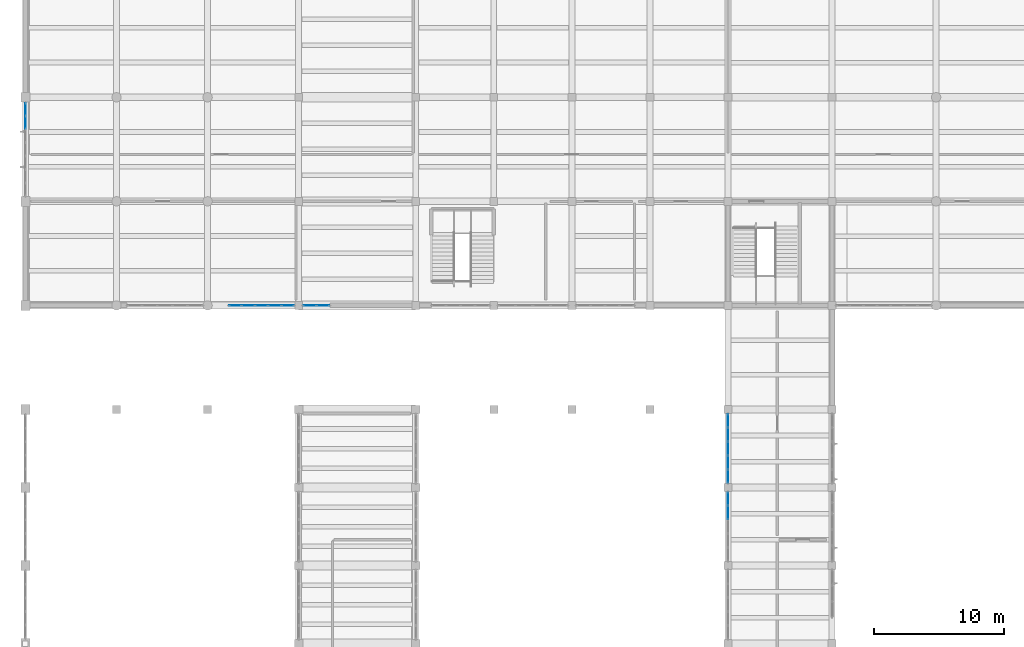
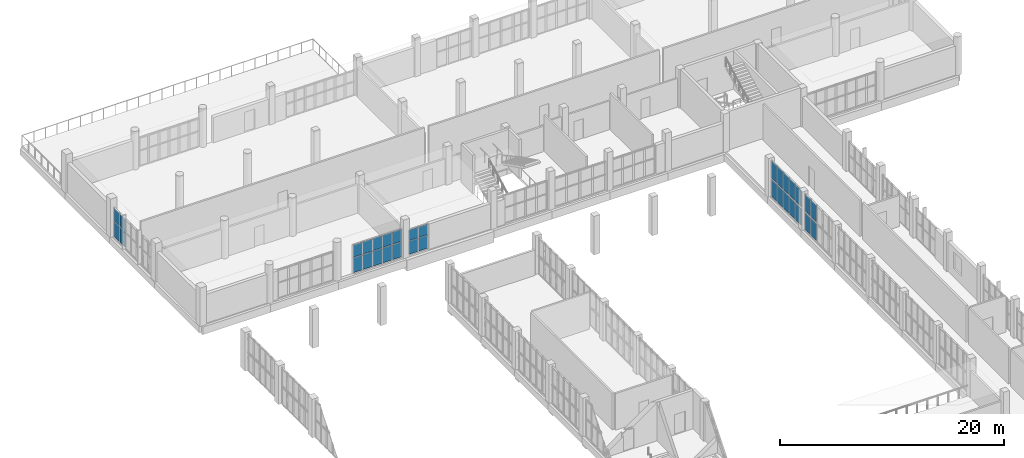
# One storey, part 54 of 85: 32 plates, 7 elements without a shape of their own.
"""IFC4 building model written with IfcOpenShell, lengths in metres."""

import ifcopenshell
import ifcopenshell.guid

model = None  # the IFC model being written
_history = None  # IfcOwnerHistory: only IFC2X3 demands one
_inside = {}  # id of a spatial element -> (the spatial element, [elements in it])
_under = {}  # id of a project, library or spatial element -> (it, [spatial elements below it])
_declared = {}  # id of a project -> (the project, [libraries it declares])
_typed = {}  # id of a type object -> (the type object, [elements of that type])
_made_of = {}  # id of a material, layer set ... -> (it, [elements and type objects made of it])


def new_model(schema):
    """Start an empty IFC model of exactly this schema.

    Asked for "IFC4X3", IfcOpenShell would pick the latest addendum, in which some entities
    have other attributes; the version numbers below select the first issue.
    IFC2X3 requires an IfcOwnerHistory on every rooted entity: one is made here for all.
    """
    global model, _history
    if schema == "IFC4X3":
        model = ifcopenshell.file(schema_version=(4, 3, 0, 0))
    else:
        model = ifcopenshell.file(schema=schema)
    _inside.clear()
    _under.clear()
    _declared.clear()
    _typed.clear()
    _made_of.clear()
    _history = None
    if model.schema == "IFC2X3":
        org = make("IfcOrganization", Name="unknown")
        user = make(
            "IfcPersonAndOrganization",
            ThePerson=make("IfcPerson", FamilyName="unknown"),
            TheOrganization=org,
        )
        app = make(
            "IfcApplication",
            ApplicationDeveloper=org,
            Version="unknown",
            ApplicationFullName="unknown",
            ApplicationIdentifier="unknown",
        )
        _history = make(
            "IfcOwnerHistory",
            OwningUser=user,
            OwningApplication=app,
            ChangeAction="ADDED",
            CreationDate=0,
        )
    return model


def make(cls, **values):
    """One entity of the class cls with the attributes given. An attribute that is None is left unset."""
    return model.create_entity(
        cls, **{name: value for name, value in values.items() if value is not None}
    )


def rooted(cls, **values):
    """An entity with a GlobalId (a new one), such as an element, a storey or a relation."""
    return make(cls, GlobalId=ifcopenshell.guid.new(), OwnerHistory=_history, **values)


def si_unit(unit_type, name, prefix=None):
    """IfcSIUnit, for example si_unit("LENGTHUNIT", "METRE", prefix="MILLI")."""
    return make("IfcSIUnit", UnitType=unit_type, Prefix=prefix, Name=name)


def assignment(units):
    """IfcUnitAssignment: the units of a project."""
    return None if units is None else make("IfcUnitAssignment", Units=units)


def point(xyz):
    """IfcCartesianPoint."""
    return None if xyz is None else make("IfcCartesianPoint", Coordinates=xyz)


def direction(xyz):
    """IfcDirection."""
    return None if xyz is None else make("IfcDirection", DirectionRatios=xyz)


def frame(location, z_axis=None, x_axis=None):
    """IfcAxis2Placement3D, a coordinate frame: its origin and axes. An axis left out is left unset."""
    return make(
        "IfcAxis2Placement3D",
        Location=point(location),
        Axis=direction(z_axis),
        RefDirection=direction(x_axis),
    )


def frame_2d(location, x_axis=None):
    """IfcAxis2Placement2D, a coordinate frame in the plane: its origin and x axis."""
    return make(
        "IfcAxis2Placement2D", Location=point(location), RefDirection=direction(x_axis)
    )


def origin():
    """The frame at (0, 0, 0) with its axes left unset."""
    return frame((0.0, 0.0, 0.0))


def origin_2d():
    """The frame at (0, 0) in the plane with its x axis left unset."""
    return frame_2d((0.0, 0.0))


def place(relative_to, where):
    """IfcLocalPlacement: puts the frame where relative to a parent placement (None: the world)."""
    return make(
        "IfcLocalPlacement", PlacementRelTo=relative_to, RelativePlacement=where
    )


def context(
    kind, dimensions, precision=None, world=None, true_north=None, identifier=None
):
    """IfcGeometricRepresentationContext, for example the 3D "Model" context."""
    return make(
        "IfcGeometricRepresentationContext",
        ContextIdentifier=identifier,
        ContextType=kind,
        CoordinateSpaceDimension=dimensions,
        Precision=precision,
        WorldCoordinateSystem=world,
        TrueNorth=true_north,
    )


def subcontext(parent, identifier, kind, view, scale=None):
    """IfcGeometricRepresentationSubContext, for example "Body" below "Model"."""
    return make(
        "IfcGeometricRepresentationSubContext",
        ContextIdentifier=identifier,
        ContextType=kind,
        ParentContext=parent,
        TargetScale=scale,
        TargetView=view,
    )


def project(units=None, contexts=None):
    """IfcProject with its units and contexts."""
    return rooted(
        "IfcProject",
        Name="project",
        RepresentationContexts=contexts,
        UnitsInContext=assignment(units),
    )


def spatial(cls, under=None, at=None, **own):
    """A site, building, storey or space (cls), placed at a placement, below another one or the project."""
    s = rooted(cls, ObjectPlacement=at, **own)
    if under is not None:
        _under.setdefault(under.id(), (under, []))[1].append(s)
    return s


def profile(cls, at=None, kind="AREA", **sizes):
    """A parametric profile (cls). Its sizes go by their IFC names, for example OverallWidth=200.0."""
    return make(cls, ProfileType=kind, Position=at, **sizes)


def rectangle(**sizes):
    """IfcRectangleProfileDef."""
    return profile("IfcRectangleProfileDef", **sizes)


def extrude(swept, where, along, depth):
    """IfcExtrudedAreaSolid: the profile swept, set in the frame where, extruded along a direction by depth."""
    return make(
        "IfcExtrudedAreaSolid",
        SweptArea=swept,
        Position=where,
        ExtrudedDirection=direction(along),
        Depth=depth,
    )


def shape(context_of_items, identifier, shape_type, items):
    """IfcShapeRepresentation: the items that make up one representation, for example the "Body"."""
    return make(
        "IfcShapeRepresentation",
        ContextOfItems=context_of_items,
        RepresentationIdentifier=identifier,
        RepresentationType=shape_type,
        Items=items,
    )


def material(Name=None, Category=None):
    """IfcMaterial."""
    return make("IfcMaterial", Name=Name, Category=Category)


def layer(
    of_material, thickness, ventilated=None, Name=None, Category=None, Priority=None
):
    """IfcMaterialLayer: one layer of a wall or slab, of a material (None: an air gap)."""
    return make(
        "IfcMaterialLayer",
        Material=of_material,
        LayerThickness=thickness,
        IsVentilated=ventilated,
        Name=Name,
        Category=Category,
        Priority=Priority,
    )


def layer_set(layers, Name=None):
    """IfcMaterialLayerSet."""
    return make("IfcMaterialLayerSet", MaterialLayers=layers, LayerSetName=Name)


def made_of(thing, what):
    """Note that an element or type object is made of a material, layer set ...; save() writes the relation."""
    if what is not None:
        _made_of.setdefault(what.id(), (what, []))[1].append(thing)
    return thing


def type_object(cls, material=None, **own):
    """A type object (cls), such as IfcWallType, which elements share."""
    return made_of(rooted(cls, **own), material)


def element(
    cls,
    number,
    at=None,
    inside=None,
    cuts=None,
    type_object=None,
    material=None,
    context=None,
    identifier="Body",
    shape_type=None,
    held_by="IfcProductDefinitionShape",
    body=None,
    shapes=None,
    **own,
):
    """One element of the class cls, such as IfcWall. Its Tag is "e" and its number.

    at: its placement. inside: the storey or other place that contains it. cuts: it is an
    opening in that element (IfcRelVoidsElement). A single representation is given by context,
    identifier, shape_type and body (its items); several are given by shapes. held_by: the class
    of the entity that holds the representations. save() writes the other relations.
    """
    e = rooted(cls, Tag="e%d" % number, ObjectPlacement=at, **own)
    if body is not None:
        shapes = [shape(context, identifier, shape_type, body)]
    if shapes is not None:
        e.Representation = make(held_by, Representations=shapes)
    if inside is not None:
        _inside.setdefault(inside.id(), (inside, []))[1].append(e)
    if cuts is not None:
        rooted(
            "IfcRelVoidsElement", RelatingBuildingElement=cuts, RelatedOpeningElement=e
        )
    if type_object is not None:
        _typed.setdefault(type_object.id(), (type_object, []))[1].append(e)
    return made_of(e, material)


def aggregate(whole, parts):
    """IfcRelAggregates: a whole, such as a stair, and the parts it consists of."""
    return rooted("IfcRelAggregates", RelatingObject=whole, RelatedObjects=parts)


def save(model, path):
    """Write the relations noted so far, then the file.

    IfcRelAggregates (storeys below a building ...), IfcRelContainedInSpatialStructure (elements
    in a storey), IfcRelDefinesByType, IfcRelAssociatesMaterial and IfcRelDeclares: one each for
    every whole, place, type object, material and project.
    """
    for whole, parts in _under.values():
        aggregate(whole, parts)
    for where, things in _inside.values():
        rooted(
            "IfcRelContainedInSpatialStructure",
            RelatedElements=things,
            RelatingStructure=where,
        )
    for kind, things in _typed.values():
        rooted("IfcRelDefinesByType", RelatedObjects=things, RelatingType=kind)
    for what, things in _made_of.values():
        rooted("IfcRelAssociatesMaterial", RelatedObjects=things, RelatingMaterial=what)
    for by, libraries in _declared.values():
        rooted("IfcRelDeclares", RelatingContext=by, RelatedDefinitions=libraries)
    model.write(path)


model = new_model("IFC4")

# Units and contexts
model_context = context("Model", 3, precision=1e-05, world=origin(), true_north=direction((0.0, 1.0)))
body_context = subcontext(model_context, "Body", "Model", "MODEL_VIEW")
ifc_project = project(units=[si_unit("LENGTHUNIT", "METRE"), si_unit("AREAUNIT", "SQUARE_METRE"), si_unit("VOLUMEUNIT", "CUBIC_METRE"), si_unit("PLANEANGLEUNIT", "RADIAN"), si_unit("MASSUNIT", "GRAM", prefix="KILO")], contexts=[model_context])

# Site, building, storey
site_placement = place(None, origin())
site = spatial("IfcSite", under=ifc_project, at=site_placement, CompositionType="ELEMENT")
building_placement = place(site_placement, origin())
building = spatial("IfcBuilding", under=site, at=building_placement, Name="Solvane Community Centre", CompositionType="ELEMENT")
storey_placement = place(building_placement, frame((0.0, 0.0, 5.39990234375)))
storey = spatial("IfcBuildingStorey", under=building, at=storey_placement, Name="L01", CompositionType="ELEMENT", Elevation=5.39990234375)

# Curtain wall, plates
ifc_material_1 = material(Name="Anodised bronze aluminium AW-6063 T6", Category="aluminium")
ifc_layer_1 = layer(ifc_material_1, 0.18994140625)
ifc_layer_set_1 = layer_set([ifc_layer_1], Name="Anodised bronze aluminium AW-6063 T6")
curtain_wall_type_1 = type_object("IfcCurtainWallType", Name="Boulevard Bronze Vision Curtain Wall [21x28dm]", PredefinedType="NOTDEFINED", material=ifc_layer_set_1)
curtain_wall_1_placement = place(storey_placement, origin())
curtain_wall_1 = element("IfcCurtainWall", 1, at=curtain_wall_1_placement, inside=storey, type_object=curtain_wall_type_1, Name="Curtain Wall CW-L01-294_860-100", PredefinedType="NOTDEFINED")
ifc_material_2 = material(Name="Tempered low-E double glazing", Category="glass")
ifc_layer_2 = layer(ifc_material_2, 0.028076171875)
ifc_layer_set_2 = layer_set([ifc_layer_2], Name="Tempered low-E double glazing")
plate_type_1 = type_object("IfcPlateType", Name="Low-E Vision Glazing Panel 28mm [21x28dm]", PredefinedType="CURTAIN_PANEL", material=ifc_layer_set_2)
plate_1_placement = place(storey_placement, frame((28.86376953125, 86.0, 0.06005859375), z_axis=(0.0, 0.0, 1.0), x_axis=(-1.0, 0.0, 0.0)))
plate_1 = element("IfcPlate", 2, at=plate_1_placement, type_object=plate_type_1, Name="CW02-21x28 panel 1.1", PredefinedType="CURTAIN_PANEL", context=body_context, shape_type="SweptSolid", body=[
    extrude(rectangle(XDim=0.952392578125, YDim=0.028076171875, at=origin_2d()), origin(), (0.0, 0.0, 1.0), 1.430908203125),
])
plate_2_placement = place(storey_placement, frame((28.86376953125, 86.0, 1.55126953125), z_axis=(0.0, 0.0, 1.0), x_axis=(-1.0, 0.0, 0.0)))
plate_2 = element("IfcPlate", 3, at=plate_2_placement, type_object=plate_type_1, Name="CW02-21x28 panel 1.2", PredefinedType="CURTAIN_PANEL", context=body_context, shape_type="SweptSolid", body=[
    extrude(rectangle(XDim=0.952392578125, YDim=0.028076171875, at=origin_2d()), origin(), (0.0, 0.0, 1.0), 1.154052734375),
])
plate_3_placement = place(storey_placement, frame((27.851318359375, 86.0, 0.06005859375), z_axis=(0.0, 0.0, 1.0), x_axis=(-1.0, 0.0, 0.0)))
plate_3 = element("IfcPlate", 4, at=plate_3_placement, type_object=plate_type_1, Name="CW02-21x28 panel 2.1", PredefinedType="CURTAIN_PANEL", context=body_context, shape_type="SweptSolid", body=[
    extrude(rectangle(XDim=0.952392578125, YDim=0.028076171875, at=origin_2d()), origin(), (0.0, 0.0, 1.0), 1.430908203125),
])
plate_4_placement = place(storey_placement, frame((27.851318359375, 86.0, 1.55126953125), z_axis=(0.0, 0.0, 1.0), x_axis=(-1.0, 0.0, 0.0)))
plate_4 = element("IfcPlate", 5, at=plate_4_placement, type_object=plate_type_1, Name="CW02-21x28 panel 2.2", PredefinedType="CURTAIN_PANEL", context=body_context, shape_type="SweptSolid", body=[
    extrude(rectangle(XDim=0.952392578125, YDim=0.028076171875, at=origin_2d()), origin(), (0.0, 0.0, 1.0), 1.154052734375),
])
aggregate(curtain_wall_1, [plate_1, plate_2, plate_3, plate_4])

ifc_layer_3 = layer(ifc_material_1, 0.18994140625)
ifc_layer_set_3 = layer_set([ifc_layer_3], Name="Anodised bronze aluminium AW-6063 T6")
curtain_wall_type_2 = type_object("IfcCurtainWallType", Name="Boulevard Bronze Vision Curtain Wall [51x31dm]", PredefinedType="NOTDEFINED", material=ifc_layer_set_3)
curtain_wall_2_placement = place(storey_placement, origin())
curtain_wall_2 = element("IfcCurtainWall", 6, at=curtain_wall_2_placement, inside=storey, type_object=curtain_wall_type_2, Name="Curtain Wall CW-L01-267_860-101", PredefinedType="NOTDEFINED")
ifc_layer_4 = layer(ifc_material_2, 0.028076171875)
ifc_layer_set_4 = layer_set([ifc_layer_4], Name="Tempered low-E double glazing")
plate_type_2 = type_object("IfcPlateType", Name="Low-E Vision Glazing Panel 28mm [51x31dm]", PredefinedType="CURTAIN_PANEL", material=ifc_layer_set_4)
plate_5_placement = place(storey_placement, frame((26.16162109375, 86.0, 0.06005859375), z_axis=(0.0, 0.0, 1.0), x_axis=(-1.0, 0.0, 0.0)))
plate_5 = element("IfcPlate", 7, at=plate_5_placement, type_object=plate_type_2, Name="CW02-51x31 panel 1.1", PredefinedType="CURTAIN_PANEL", context=body_context, shape_type="SweptSolid", body=[
    extrude(rectangle(XDim=0.927001953125, YDim=0.028076171875, at=origin_2d()), origin(), (0.0, 0.0, 1.0), 1.634033203125),
])
plate_6_placement = place(storey_placement, frame((26.16162109375, 86.0, 1.75390625), z_axis=(0.0, 0.0, 1.0), x_axis=(-1.0, 0.0, 0.0)))
plate_6 = element("IfcPlate", 8, at=plate_6_placement, type_object=plate_type_2, Name="CW02-51x31 panel 1.2", PredefinedType="CURTAIN_PANEL", context=body_context, shape_type="SweptSolid", body=[
    extrude(rectangle(XDim=0.927001953125, YDim=0.028076171875, at=origin_2d()), origin(), (0.0, 0.0, 1.0), 1.321044921875),
])
plate_7_placement = place(storey_placement, frame((25.159423828125, 86.0, 0.06005859375), z_axis=(0.0, 0.0, 1.0), x_axis=(-1.0, 0.0, 0.0)))
plate_7 = element("IfcPlate", 9, at=plate_7_placement, type_object=plate_type_2, Name="CW02-51x31 panel 2.1", PredefinedType="CURTAIN_PANEL", context=body_context, shape_type="SweptSolid", body=[
    extrude(rectangle(XDim=0.95703125, YDim=0.028076171875, at=origin_2d()), origin(), (0.0, 0.0, 1.0), 1.634033203125),
])
plate_8_placement = place(storey_placement, frame((25.159423828125, 86.0, 1.75390625), z_axis=(0.0, 0.0, 1.0), x_axis=(-1.0, 0.0, 0.0)))
plate_8 = element("IfcPlate", 10, at=plate_8_placement, type_object=plate_type_2, Name="CW02-51x31 panel 2.2", PredefinedType="CURTAIN_PANEL", context=body_context, shape_type="SweptSolid", body=[
    extrude(rectangle(XDim=0.95703125, YDim=0.028076171875, at=origin_2d()), origin(), (0.0, 0.0, 1.0), 1.321044921875),
])
plate_9_placement = place(storey_placement, frame((24.142578125, 86.0, 0.06005859375), z_axis=(0.0, 0.0, 1.0), x_axis=(-1.0, 0.0, 0.0)))
plate_9 = element("IfcPlate", 11, at=plate_9_placement, type_object=plate_type_2, Name="CW02-51x31 panel 3.1", PredefinedType="CURTAIN_PANEL", context=body_context, shape_type="SweptSolid", body=[
    extrude(rectangle(XDim=0.95703125, YDim=0.028076171875, at=origin_2d()), origin(), (0.0, 0.0, 1.0), 1.634033203125),
])
plate_10_placement = place(storey_placement, frame((24.142578125, 86.0, 1.75390625), z_axis=(0.0, 0.0, 1.0), x_axis=(-1.0, 0.0, 0.0)))
plate_10 = element("IfcPlate", 12, at=plate_10_placement, type_object=plate_type_2, Name="CW02-51x31 panel 3.2", PredefinedType="CURTAIN_PANEL", context=body_context, shape_type="SweptSolid", body=[
    extrude(rectangle(XDim=0.95703125, YDim=0.028076171875, at=origin_2d()), origin(), (0.0, 0.0, 1.0), 1.321044921875),
])
plate_11_placement = place(storey_placement, frame((23.12548828125, 86.0, 0.06005859375), z_axis=(0.0, 0.0, 1.0), x_axis=(-1.0, 0.0, 0.0)))
plate_11 = element("IfcPlate", 13, at=plate_11_placement, type_object=plate_type_2, Name="CW02-51x31 panel 4.1", PredefinedType="CURTAIN_PANEL", context=body_context, shape_type="SweptSolid", body=[
    extrude(rectangle(XDim=0.95703125, YDim=0.028076171875, at=origin_2d()), origin(), (0.0, 0.0, 1.0), 1.634033203125),
])
plate_12_placement = place(storey_placement, frame((23.12548828125, 86.0, 1.75390625), z_axis=(0.0, 0.0, 1.0), x_axis=(-1.0, 0.0, 0.0)))
plate_12 = element("IfcPlate", 14, at=plate_12_placement, type_object=plate_type_2, Name="CW02-51x31 panel 4.2", PredefinedType="CURTAIN_PANEL", context=body_context, shape_type="SweptSolid", body=[
    extrude(rectangle(XDim=0.95703125, YDim=0.028076171875, at=origin_2d()), origin(), (0.0, 0.0, 1.0), 1.321044921875),
])
plate_13_placement = place(storey_placement, frame((22.12353515625, 86.0, 0.06005859375), z_axis=(0.0, 0.0, 1.0), x_axis=(-1.0, 0.0, 0.0)))
plate_13 = element("IfcPlate", 15, at=plate_13_placement, type_object=plate_type_2, Name="CW02-51x31 panel 5.1", PredefinedType="CURTAIN_PANEL", context=body_context, shape_type="SweptSolid", body=[
    extrude(rectangle(XDim=0.927001953125, YDim=0.028076171875, at=origin_2d()), origin(), (0.0, 0.0, 1.0), 1.634033203125),
])
plate_14_placement = place(storey_placement, frame((22.12353515625, 86.0, 1.75390625), z_axis=(0.0, 0.0, 1.0), x_axis=(-1.0, 0.0, 0.0)))
plate_14 = element("IfcPlate", 16, at=plate_14_placement, type_object=plate_type_2, Name="CW02-51x31 panel 5.2", PredefinedType="CURTAIN_PANEL", context=body_context, shape_type="SweptSolid", body=[
    extrude(rectangle(XDim=0.927001953125, YDim=0.028076171875, at=origin_2d()), origin(), (0.0, 0.0, 1.0), 1.321044921875),
])
aggregate(curtain_wall_2, [plate_5, plate_6, plate_7, plate_8, plate_9, plate_10, plate_11, plate_12, plate_13, plate_14])

ifc_layer_5 = layer(ifc_material_1, 0.18994140625)
ifc_layer_set_5 = layer_set([ifc_layer_5], Name="Anodised bronze aluminium AW-6063 T6")
curtain_wall_type_3 = type_object("IfcCurtainWallType", Name="Boulevard Bronze Vision Curtain Wall [72x32dm]", PredefinedType="NOTDEFINED", material=ifc_layer_set_5)
curtain_wall_3_placement = place(storey_placement, origin())
curtain_wall_3 = element("IfcCurtainWall", 17, at=curtain_wall_3_placement, inside=storey, type_object=curtain_wall_type_3, Name="Curtain Wall CW-L01-60_944-085", PredefinedType="NOTDEFINED")
ifc_layer_6 = layer(ifc_material_2, 0.028076171875)
ifc_layer_set_6 = layer_set([ifc_layer_6], Name="Tempered low-E double glazing")
plate_type_3 = type_object("IfcPlateType", Name="Low-E Vision Glazing Panel 28mm [72x32dm]", PredefinedType="CURTAIN_PANEL", material=ifc_layer_set_6)
plate_15_placement = place(storey_placement, frame((6.0, 100.06005859375, 0.06005859375), z_axis=(0.0, 0.0, 1.0), x_axis=(0.0, 1.0, 0.0)))
plate_15 = element("IfcPlate", 18, at=plate_15_placement, type_object=plate_type_3, Name="CW02-72x32 panel 6.1", PredefinedType="CURTAIN_PANEL", context=body_context, shape_type="SweptSolid", body=[
    extrude(rectangle(XDim=0.969970703125, YDim=0.028076171875, at=origin_2d()), origin(), (0.0, 0.0, 1.0), 1.68408203125),
])
plate_16_placement = place(storey_placement, frame((6.0, 100.06005859375, 1.80419921875), z_axis=(0.0, 0.0, 1.0), x_axis=(0.0, 1.0, 0.0)))
plate_16 = element("IfcPlate", 19, at=plate_16_placement, type_object=plate_type_3, Name="CW02-72x32 panel 6.2", PredefinedType="CURTAIN_PANEL", context=body_context, shape_type="SweptSolid", body=[
    extrude(rectangle(XDim=0.969970703125, YDim=0.028076171875, at=origin_2d()), origin(), (0.0, 0.0, 1.0), 1.361083984375),
])
plate_17_placement = place(storey_placement, frame((6.0, 101.074951171875, 0.06005859375), z_axis=(0.0, 0.0, 1.0), x_axis=(0.0, 1.0, 0.0)))
plate_17 = element("IfcPlate", 20, at=plate_17_placement, type_object=plate_type_3, Name="CW02-72x32 panel 7.1", PredefinedType="CURTAIN_PANEL", context=body_context, shape_type="SweptSolid", body=[
    extrude(rectangle(XDim=0.93994140625, YDim=0.028076171875, at=origin_2d()), origin(), (0.0, 0.0, 1.0), 1.68408203125),
])
plate_18_placement = place(storey_placement, frame((6.0, 101.074951171875, 1.80419921875), z_axis=(0.0, 0.0, 1.0), x_axis=(0.0, 1.0, 0.0)))
plate_18 = element("IfcPlate", 21, at=plate_18_placement, type_object=plate_type_3, Name="CW02-72x32 panel 7.2", PredefinedType="CURTAIN_PANEL", context=body_context, shape_type="SweptSolid", body=[
    extrude(rectangle(XDim=0.93994140625, YDim=0.028076171875, at=origin_2d()), origin(), (0.0, 0.0, 1.0), 1.361083984375),
])
aggregate(curtain_wall_3, [plate_15, plate_16, plate_17, plate_18])

ifc_layer_7 = layer(ifc_material_1, 0.179931640625)
ifc_layer_set_7 = layer_set([ifc_layer_7], Name="Anodised bronze aluminium AW-6063 T6")
curtain_wall_type_4 = type_object("IfcCurtainWallType", Name="Hall Translucent Upper Curtain Wall [54x19dm]", PredefinedType="NOTDEFINED", material=ifc_layer_set_7)
curtain_wall_4_placement = place(storey_placement, origin())
curtain_wall_4 = element("IfcCurtainWall", 22, at=curtain_wall_4_placement, inside=storey, type_object=curtain_wall_type_4, Name="Curtain Wall CW-L01-600_717-059", PredefinedType="NOTDEFINED")
ifc_material_3 = material(Name="Translucent polycarbonate panel")
ifc_layer_8 = layer(ifc_material_3, 0.028076171875)
ifc_layer_set_8 = layer_set([ifc_layer_8], Name="Translucent polycarbonate panel")
plate_type_4 = type_object("IfcPlateType", Name="Translucent Polycarbonate Panel 28mm [54x19dm]", PredefinedType="CURTAIN_PANEL", material=ifc_layer_set_8)
plate_19_placement = place(storey_placement, frame((60.0, 71.12890625, 0.06005859375), z_axis=(0.0, 0.0, 1.0), x_axis=(0.0, -1.0, 0.0)))
plate_19 = element("IfcPlate", 23, at=plate_19_placement, type_object=plate_type_4, Name="CW01-54x19 panel 1.1", PredefinedType="CURTAIN_PANEL", context=body_context, shape_type="SweptSolid", body=[
    extrude(rectangle(XDim=0.98193359375, YDim=0.028076171875, at=origin_2d()), origin(), (0.0, 0.0, 1.0), 1.830078125),
])
plate_20_placement = place(storey_placement, frame((60.0, 70.072021484375, 0.06005859375), z_axis=(0.0, 0.0, 1.0), x_axis=(0.0, -1.0, 0.0)))
plate_20 = element("IfcPlate", 24, at=plate_20_placement, type_object=plate_type_4, Name="CW01-54x19 panel 2.1", PredefinedType="CURTAIN_PANEL", context=body_context, shape_type="SweptSolid", body=[
    extrude(rectangle(XDim=1.011962890625, YDim=0.028076171875, at=origin_2d()), origin(), (0.0, 0.0, 1.0), 1.830078125),
])
aggregate(curtain_wall_4, [plate_19, plate_20])

curtain_wall_5_placement = place(storey_placement, origin())
curtain_wall_5 = element("IfcCurtainWall", 25, at=curtain_wall_5_placement, inside=storey, type_object=curtain_wall_type_4, Name="Curtain Wall CW-L01-600_777-067", PredefinedType="NOTDEFINED")
plate_21_placement = place(storey_placement, frame((60.0, 77.12890625, 0.06005859375), z_axis=(0.0, 0.0, 1.0), x_axis=(0.0, -1.0, 0.0)))
plate_21 = element("IfcPlate", 26, at=plate_21_placement, type_object=plate_type_4, Name="CW01-54x19 panel 1.1", PredefinedType="CURTAIN_PANEL", context=body_context, shape_type="SweptSolid", body=[
    extrude(rectangle(XDim=0.98193359375, YDim=0.028076171875, at=origin_2d()), origin(), (0.0, 0.0, 1.0), 1.830078125),
])
plate_22_placement = place(storey_placement, frame((60.0, 76.072021484375, 0.06005859375), z_axis=(0.0, 0.0, 1.0), x_axis=(0.0, -1.0, 0.0)))
plate_22 = element("IfcPlate", 27, at=plate_22_placement, type_object=plate_type_4, Name="CW01-54x19 panel 2.1", PredefinedType="CURTAIN_PANEL", context=body_context, shape_type="SweptSolid", body=[
    extrude(rectangle(XDim=1.011962890625, YDim=0.028076171875, at=origin_2d()), origin(), (0.0, 0.0, 1.0), 1.830078125),
])
plate_23_placement = place(storey_placement, frame((60.0, 75.0, 0.06005859375), z_axis=(0.0, 0.0, 1.0), x_axis=(0.0, -1.0, 0.0)))
plate_23 = element("IfcPlate", 28, at=plate_23_placement, type_object=plate_type_4, Name="CW01-54x19 panel 3.1", PredefinedType="CURTAIN_PANEL", context=body_context, shape_type="SweptSolid", body=[
    extrude(rectangle(XDim=1.011962890625, YDim=0.028076171875, at=origin_2d()), origin(), (0.0, 0.0, 1.0), 1.830078125),
])
plate_24_placement = place(storey_placement, frame((60.0, 73.927978515625, 0.06005859375), z_axis=(0.0, 0.0, 1.0), x_axis=(0.0, -1.0, 0.0)))
plate_24 = element("IfcPlate", 29, at=plate_24_placement, type_object=plate_type_4, Name="CW01-54x19 panel 4.1", PredefinedType="CURTAIN_PANEL", context=body_context, shape_type="SweptSolid", body=[
    extrude(rectangle(XDim=1.011962890625, YDim=0.028076171875, at=origin_2d()), origin(), (0.0, 0.0, 1.0), 1.830078125),
])
plate_25_placement = place(storey_placement, frame((60.0, 72.87109375, 0.06005859375), z_axis=(0.0, 0.0, 1.0), x_axis=(0.0, -1.0, 0.0)))
plate_25 = element("IfcPlate", 30, at=plate_25_placement, type_object=plate_type_4, Name="CW01-54x19 panel 5.1", PredefinedType="CURTAIN_PANEL", context=body_context, shape_type="SweptSolid", body=[
    extrude(rectangle(XDim=0.98193359375, YDim=0.028076171875, at=origin_2d()), origin(), (0.0, 0.0, 1.0), 1.830078125),
])
aggregate(curtain_wall_5, [plate_21, plate_22, plate_23, plate_24, plate_25])

ifc_layer_9 = layer(ifc_material_1, 0.179931640625)
ifc_layer_set_9 = layer_set([ifc_layer_9], Name="Anodised bronze aluminium AW-6063 T6")
curtain_wall_type_5 = type_object("IfcCurtainWallType", Name="Hall Translucent Upper Curtain Wall [54x20dm]", PredefinedType="NOTDEFINED", material=ifc_layer_set_9)
curtain_wall_6_placement = place(storey_placement, origin())
curtain_wall_6 = element("IfcCurtainWall", 31, at=curtain_wall_6_placement, inside=storey, type_object=curtain_wall_type_5, Name="Curtain Wall CW-L01-600_717-060", PredefinedType="NOTDEFINED")
ifc_layer_10 = layer(ifc_material_3, 0.028076171875)
ifc_layer_set_10 = layer_set([ifc_layer_10], Name="Translucent polycarbonate panel")
plate_type_5 = type_object("IfcPlateType", Name="Translucent Polycarbonate Panel 28mm [54x20dm]", PredefinedType="CURTAIN_PANEL", material=ifc_layer_set_10)
plate_26_placement = place(storey_placement, frame((60.0, 71.12890625, 2.080078125), z_axis=(0.0, 0.0, 1.0), x_axis=(0.0, -1.0, 0.0)))
plate_26 = element("IfcPlate", 32, at=plate_26_placement, type_object=plate_type_5, Name="CW01-54x20 panel 1.1", PredefinedType="CURTAIN_PANEL", context=body_context, shape_type="SweptSolid", body=[
    extrude(rectangle(XDim=0.98193359375, YDim=0.028076171875, at=origin_2d()), origin(), (0.0, 0.0, 1.0), 1.840087890625),
])
plate_27_placement = place(storey_placement, frame((60.0, 70.072021484375, 2.080078125), z_axis=(0.0, 0.0, 1.0), x_axis=(0.0, -1.0, 0.0)))
plate_27 = element("IfcPlate", 33, at=plate_27_placement, type_object=plate_type_5, Name="CW01-54x20 panel 2.1", PredefinedType="CURTAIN_PANEL", context=body_context, shape_type="SweptSolid", body=[
    extrude(rectangle(XDim=1.011962890625, YDim=0.028076171875, at=origin_2d()), origin(), (0.0, 0.0, 1.0), 1.840087890625),
])
aggregate(curtain_wall_6, [plate_26, plate_27])

curtain_wall_7_placement = place(storey_placement, origin())
curtain_wall_7 = element("IfcCurtainWall", 34, at=curtain_wall_7_placement, inside=storey, type_object=curtain_wall_type_5, Name="Curtain Wall CW-L01-600_777-068", PredefinedType="NOTDEFINED")
plate_28_placement = place(storey_placement, frame((60.0, 77.12890625, 2.080078125), z_axis=(0.0, 0.0, 1.0), x_axis=(0.0, -1.0, 0.0)))
plate_28 = element("IfcPlate", 35, at=plate_28_placement, type_object=plate_type_5, Name="CW01-54x20 panel 1.1", PredefinedType="CURTAIN_PANEL", context=body_context, shape_type="SweptSolid", body=[
    extrude(rectangle(XDim=0.98193359375, YDim=0.028076171875, at=origin_2d()), origin(), (0.0, 0.0, 1.0), 1.840087890625),
])
plate_29_placement = place(storey_placement, frame((60.0, 76.072021484375, 2.080078125), z_axis=(0.0, 0.0, 1.0), x_axis=(0.0, -1.0, 0.0)))
plate_29 = element("IfcPlate", 36, at=plate_29_placement, type_object=plate_type_5, Name="CW01-54x20 panel 2.1", PredefinedType="CURTAIN_PANEL", context=body_context, shape_type="SweptSolid", body=[
    extrude(rectangle(XDim=1.011962890625, YDim=0.028076171875, at=origin_2d()), origin(), (0.0, 0.0, 1.0), 1.840087890625),
])
plate_30_placement = place(storey_placement, frame((60.0, 75.0, 2.080078125), z_axis=(0.0, 0.0, 1.0), x_axis=(0.0, -1.0, 0.0)))
plate_30 = element("IfcPlate", 37, at=plate_30_placement, type_object=plate_type_5, Name="CW01-54x20 panel 3.1", PredefinedType="CURTAIN_PANEL", context=body_context, shape_type="SweptSolid", body=[
    extrude(rectangle(XDim=1.011962890625, YDim=0.028076171875, at=origin_2d()), origin(), (0.0, 0.0, 1.0), 1.840087890625),
])
plate_31_placement = place(storey_placement, frame((60.0, 73.927978515625, 2.080078125), z_axis=(0.0, 0.0, 1.0), x_axis=(0.0, -1.0, 0.0)))
plate_31 = element("IfcPlate", 38, at=plate_31_placement, type_object=plate_type_5, Name="CW01-54x20 panel 4.1", PredefinedType="CURTAIN_PANEL", context=body_context, shape_type="SweptSolid", body=[
    extrude(rectangle(XDim=1.011962890625, YDim=0.028076171875, at=origin_2d()), origin(), (0.0, 0.0, 1.0), 1.840087890625),
])
plate_32_placement = place(storey_placement, frame((60.0, 72.87109375, 2.080078125), z_axis=(0.0, 0.0, 1.0), x_axis=(0.0, -1.0, 0.0)))
plate_32 = element("IfcPlate", 39, at=plate_32_placement, type_object=plate_type_5, Name="CW01-54x20 panel 5.1", PredefinedType="CURTAIN_PANEL", context=body_context, shape_type="SweptSolid", body=[
    extrude(rectangle(XDim=0.98193359375, YDim=0.028076171875, at=origin_2d()), origin(), (0.0, 0.0, 1.0), 1.840087890625),
])
aggregate(curtain_wall_7, [plate_28, plate_29, plate_30, plate_31, plate_32])

save(model, "model.ifc")
